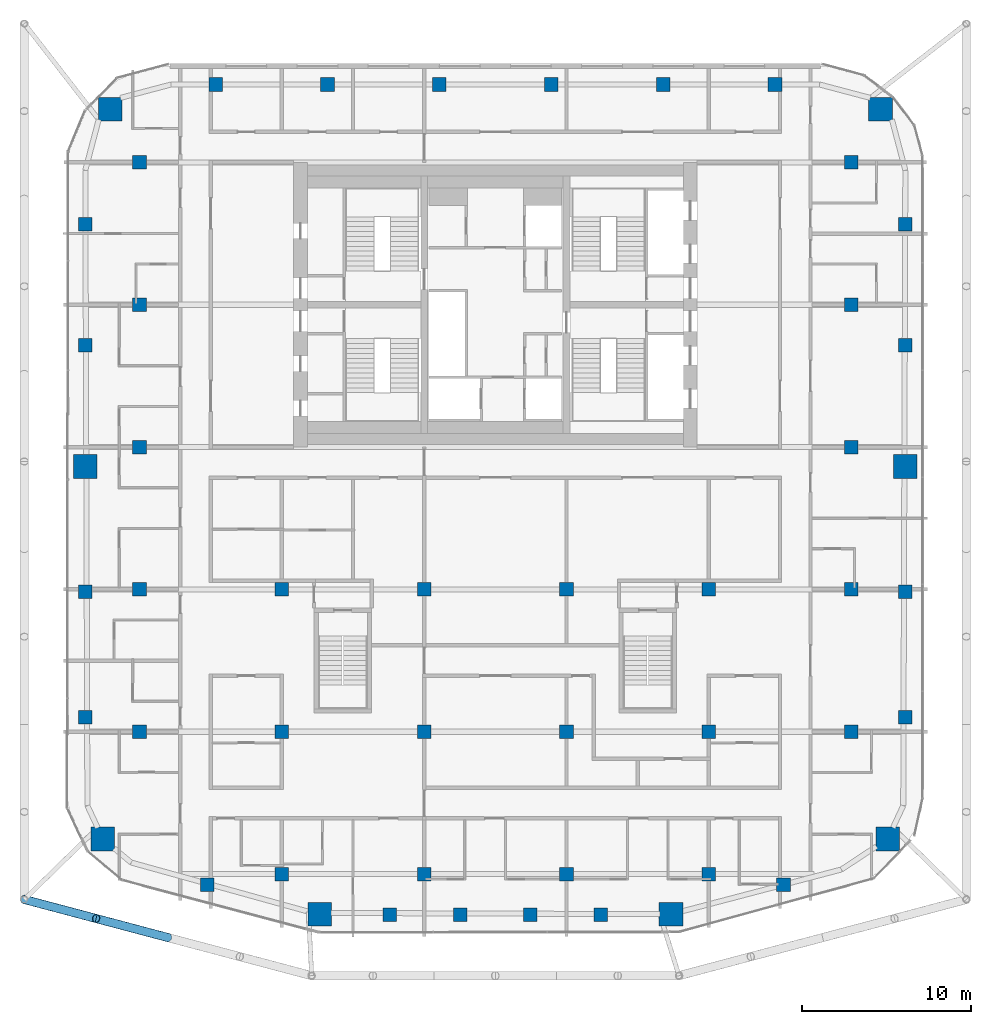
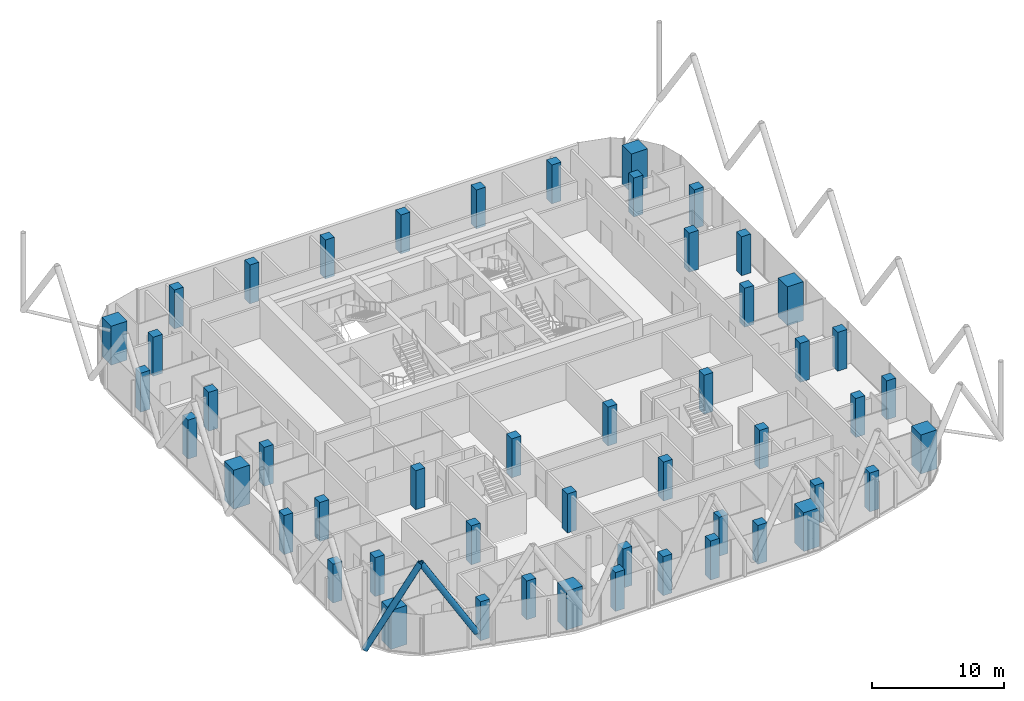
# One storey, part 1 of 28: 50 columns, 2 members.
"""IFC4 building model written with IfcOpenShell, lengths in metres."""

from ifc_helpers import new_model, si_unit, direction, frame, origin, origin_2d, place, context, subcontext, project, spatial, rectangle, hollow_circle, extrude, material, material_profile, profile_set, type_object, element, save


model = new_model("IFC4")

# Units and contexts
model_context = context("Model", 3, precision=1e-05, world=origin(), true_north=direction((0.0, 1.0)))
body_context = subcontext(model_context, "Body", "Model", "MODEL_VIEW")
ifc_project = project(units=[si_unit("LENGTHUNIT", "METRE"), si_unit("AREAUNIT", "SQUARE_METRE"), si_unit("VOLUMEUNIT", "CUBIC_METRE"), si_unit("PLANEANGLEUNIT", "RADIAN"), si_unit("MASSUNIT", "GRAM", prefix="KILO")], contexts=[model_context])

# Site, building, storey
site_placement = place(None, origin())
site = spatial("IfcSite", under=ifc_project, at=site_placement, CompositionType="ELEMENT")
building_placement = place(site_placement, origin())
building = spatial("IfcBuilding", under=site, at=building_placement, Name="Marenta Gate Hotel Tower", CompositionType="ELEMENT")
storey_placement = place(building_placement, frame((0.0, 0.0, 198.5)))
storey = spatial("IfcBuildingStorey", under=building, at=storey_placement, Name="L45", CompositionType="ELEMENT", Elevation=198.5)

# Columns
ifc_material_1 = material(Name="Concrete C60", Category="concrete")
ifc_material_profile_1 = material_profile(ifc_material_1, rectangle(XDim=0.800048828125, YDim=0.800048828125, at=origin_2d()), Name="800 x 800")
ifc_profile_set_1 = profile_set([ifc_material_profile_1], Name="Concrete C60")
column_type_1 = type_object("IfcColumnType", Name="Edge column 800 x 800 C60", PredefinedType="COLUMN", material=ifc_profile_set_1)
for number, where, z_axis, x_axis, name in (
    (1, (-24.199951171875, -15.951904296875, 0.0), (0.0, 0.0, 1.0), (1.0, 0.0, 0.0), "L45-EC-SW-W-1"),
    (2, (-24.199951171875, -8.55078125, 0.0), (0.0, 0.0, 1.0), (1.0, 0.0, 0.0), "L45-EC-SW-W-2"),
    (3, (-24.199951171875, 6.003173828125, 0.0), (0.0, 0.0, 1.0), (1.0, 0.0, 0.0), "L45-EC-W-NW-1"),
    (4, (-24.199951171875, 13.156494140625, 0.0), (0.0, 0.0, 1.0), (1.0, 0.0, 0.0), "L45-EC-W-NW-2"),
    (5, (-16.5068359375, 21.39990234375, 0.0), (0.0, 0.0, 1.0), (1.0, 0.0, 0.0), "L45-EC-NW-NE-1"),
    (6, (-9.904052734375, 21.39990234375, 0.0), (0.0, 0.0, 1.0), (1.0, 0.0, 0.0), "L45-EC-NW-NE-2"),
    (7, (-3.301513671875, 21.39990234375, 0.0), (0.0, 0.0, 1.0), (1.0, 0.0, 0.0), "L45-EC-NW-NE-3"),
    (8, (3.301513671875, 21.39990234375, 0.0), (0.0, 0.0, 1.0), (1.0, 0.0, 0.0), "L45-EC-NW-NE-4"),
    (9, (9.904052734375, 21.39990234375, 0.0), (0.0, 0.0, 1.0), (1.0, 0.0, 0.0), "L45-EC-NW-NE-5"),
    (10, (16.5068359375, 21.39990234375, 0.0), (0.0, 0.0, 1.0), (1.0, 0.0, 0.0), "L45-EC-NW-NE-6"),
    (11, (24.199951171875, 13.156494140625, 0.0), (0.0, 0.0, 1.0), (1.0, 0.0, 0.0), "L45-EC-NE-E-1"),
    (12, (24.199951171875, 6.003173828125, 0.0), (0.0, 0.0, 1.0), (1.0, 0.0, 0.0), "L45-EC-NE-E-2"),
    (13, (24.199951171875, -8.55078125, 0.0), (0.0, 0.0, 1.0), (1.0, 0.0, 0.0), "L45-EC-E-SE-1"),
    (14, (24.199951171875, -15.951904296875, 0.0), (0.0, 0.0, 1.0), (1.0, 0.0, 0.0), "L45-EC-E-SE-2"),
    (15, (17.0068359375, -25.839111328125, 0.0), (0.0, 0.0, 1.0), (1.0, 0.0, 0.0), "L45-EC-SE-SKE-1"),
    (16, (6.22021484375, -27.60009765625, 0.0), (0.0, 0.0, 1.0), (1.0, 0.0, 0.0), "L45-EC-SKE-SKW-1"),
    (17, (2.073486328125, -27.60009765625, 0.0), (0.0, 0.0, 1.0), (1.0, 0.0, 0.0), "L45-EC-SKE-SKW-2"),
    (18, (-2.073486328125, -27.60009765625, 0.0), (0.0, 0.0, 1.0), (1.0, 0.0, 0.0), "L45-EC-SKE-SKW-3"),
    (19, (-6.22021484375, -27.60009765625, 0.0), (0.0, 0.0, 1.0), (1.0, 0.0, 0.0), "L45-EC-SKE-SKW-4"),
    (20, (-17.0068359375, -25.839111328125, 0.0), (0.0, 0.0, 1.0), (1.0, 0.0, 0.0), "L45-EC-SKW-SW-1"),
):
    element("IfcColumn", number, at=place(storey_placement, frame(where, z_axis=z_axis, x_axis=x_axis)), inside=storey, type_object=column_type_1, Name=name, PredefinedType="COLUMN", context=body_context, shape_type="SweptSolid", body=[
        extrude(rectangle(XDim=0.800048828125, YDim=0.800048828125, at=origin_2d()), origin(), (0.0, 0.0, 1.0), 3.60009765625),
    ])
ifc_material_2 = material(Name="Concrete C60", Category="concrete")
ifc_material_profile_2 = material_profile(ifc_material_2, rectangle(XDim=0.800048828125, YDim=0.800048828125, at=origin_2d()), Name="800 x 800")
ifc_profile_set_2 = profile_set([ifc_material_profile_2], Name="Concrete C60")
column_type_2 = type_object("IfcColumnType", Name="Interior column 800 x 800 C60", PredefinedType="COLUMN", material=ifc_profile_set_2)
for number, where, z_axis, x_axis, name in (
    (21, (-21.0, -16.800048828125, 0.0), (0.0, 0.0, 1.0), (1.0, 0.0, 0.0), "L45-IC-4D"),
    (22, (-21.0, -8.39990234375, 0.0), (0.0, 0.0, 1.0), (1.0, 0.0, 0.0), "L45-IC-4E"),
    (23, (-21.0, 0.0, 0.0), (0.0, 0.0, 1.0), (1.0, 0.0, 0.0), "L45-IC-4F"),
    (24, (-21.0, 8.39990234375, 0.0), (0.0, 0.0, 1.0), (1.0, 0.0, 0.0), "L45-IC-4G"),
    (25, (-21.0, 16.800048828125, 0.0), (0.0, 0.0, 1.0), (1.0, 0.0, 0.0), "L45-IC-4H"),
    (26, (-12.60009765625, -25.199951171875, 0.0), (0.0, 0.0, 1.0), (1.0, 0.0, 0.0), "L45-IC-5C"),
    (27, (-12.60009765625, -16.800048828125, 0.0), (0.0, 0.0, 1.0), (1.0, 0.0, 0.0), "L45-IC-5D"),
    (28, (-12.60009765625, -8.39990234375, 0.0), (0.0, 0.0, 1.0), (1.0, 0.0, 0.0), "L45-IC-5E"),
    (29, (-4.199951171875, -25.199951171875, 0.0), (0.0, 0.0, 1.0), (1.0, 0.0, 0.0), "L45-IC-6C"),
    (30, (-4.199951171875, -16.800048828125, 0.0), (0.0, 0.0, 1.0), (1.0, 0.0, 0.0), "L45-IC-6D"),
    (31, (-4.199951171875, -8.39990234375, 0.0), (0.0, 0.0, 1.0), (1.0, 0.0, 0.0), "L45-IC-6E"),
    (32, (4.199951171875, -25.199951171875, 0.0), (0.0, 0.0, 1.0), (1.0, 0.0, 0.0), "L45-IC-7C"),
    (33, (4.199951171875, -16.800048828125, 0.0), (0.0, 0.0, 1.0), (1.0, 0.0, 0.0), "L45-IC-7D"),
    (34, (4.199951171875, -8.39990234375, 0.0), (0.0, 0.0, 1.0), (1.0, 0.0, 0.0), "L45-IC-7E"),
    (35, (12.60009765625, -25.199951171875, 0.0), (0.0, 0.0, 1.0), (1.0, 0.0, 0.0), "L45-IC-8C"),
    (36, (12.60009765625, -16.800048828125, 0.0), (0.0, 0.0, 1.0), (1.0, 0.0, 0.0), "L45-IC-8D"),
    (37, (12.60009765625, -8.39990234375, 0.0), (0.0, 0.0, 1.0), (1.0, 0.0, 0.0), "L45-IC-8E"),
    (38, (21.0, -16.800048828125, 0.0), (0.0, 0.0, 1.0), (1.0, 0.0, 0.0), "L45-IC-9D"),
    (39, (21.0, -8.39990234375, 0.0), (0.0, 0.0, 1.0), (1.0, 0.0, 0.0), "L45-IC-9E"),
    (40, (21.0, 0.0, 0.0), (0.0, 0.0, 1.0), (1.0, 0.0, 0.0), "L45-IC-9F"),
    (41, (21.0, 8.39990234375, 0.0), (0.0, 0.0, 1.0), (1.0, 0.0, 0.0), "L45-IC-9G"),
    (42, (21.0, 16.800048828125, 0.0), (0.0, 0.0, 1.0), (1.0, 0.0, 0.0), "L45-IC-9H"),
):
    element("IfcColumn", number, at=place(storey_placement, frame(where, z_axis=z_axis, x_axis=x_axis)), inside=storey, type_object=column_type_2, Name=name, PredefinedType="COLUMN", context=body_context, shape_type="SweptSolid", body=[
        extrude(rectangle(XDim=0.800048828125, YDim=0.800048828125, at=origin_2d()), origin(), (0.0, 0.0, 1.0), 3.60009765625),
    ])
ifc_material_3 = material(Name="Concrete C60", Category="concrete")
ifc_material_profile_3 = material_profile(ifc_material_3, rectangle(XDim=1.39990234375, YDim=1.39990234375, at=origin_2d()), Name="1400 x 1400")
ifc_profile_set_3 = profile_set([ifc_material_profile_3], Name="Concrete C60")
column_type_3 = type_object("IfcColumnType", Name="Mega column 1400 x 1400 C60", PredefinedType="COLUMN", material=ifc_profile_set_3)
for number, where, z_axis, x_axis, name in (
    (43, (-23.1630859375, -23.133056640625, 0.0), (0.0, 0.0, 1.0), (1.0, 0.0, 0.0), "L45-MC-SW"),
    (44, (-10.3662109375, -27.57470703125, 0.0), (0.0, 0.0, 1.0), (1.0, 0.0, 0.0), "L45-MC-SKW"),
    (45, (10.3662109375, -27.57470703125, 0.0), (0.0, 0.0, 1.0), (1.0, 0.0, 0.0), "L45-MC-SKE"),
    (46, (23.1630859375, -23.133056640625, 0.0), (0.0, 0.0, 1.0), (1.0, 0.0, 0.0), "L45-MC-SE"),
    (47, (24.199951171875, -1.14990234375, 0.0), (0.0, 0.0, 1.0), (1.0, 0.0, 0.0), "L45-MC-E"),
    (48, (22.735595703125, 19.935546875, 0.0), (0.0, 0.0, 1.0), (1.0, 0.0, 0.0), "L45-MC-NE"),
    (49, (-22.735595703125, 19.935546875, 0.0), (0.0, 0.0, 1.0), (1.0, 0.0, 0.0), "L45-MC-NW"),
    (50, (-24.199951171875, -1.14990234375, 0.0), (0.0, 0.0, 1.0), (1.0, 0.0, 0.0), "L45-MC-W"),
):
    element("IfcColumn", number, at=place(storey_placement, frame(where, z_axis=z_axis, x_axis=x_axis)), inside=storey, type_object=column_type_3, Name=name, PredefinedType="COLUMN", context=body_context, shape_type="SweptSolid", body=[
        extrude(rectangle(XDim=1.39990234375, YDim=1.39990234375, at=origin_2d()), origin(), (0.0, 0.0, 1.0), 3.60009765625),
    ])

# Members
ifc_material_4 = material(Name="Steel S355J2W", Category="steel")
ifc_material_profile_4 = material_profile(ifc_material_4, hollow_circle(Radius=0.25390625, WallThickness=0.02490234375, at=origin_2d()), Name="CHS 508x25")
ifc_profile_set_4 = profile_set([ifc_material_profile_4], Name="Steel S355J2W")
member_type = type_object("IfcMemberType", Name="Diagrid diagonal Z3 CHS 508x25", PredefinedType="BRACE", material=ifc_profile_set_4)
for number, where, z_axis, x_axis, name in (
    (51, (-19.319580078125, -28.9501953125, 3.139892578125), (-0.50291158245, 0.13343024942, 0.853976761263), (-0.256443187528, -0.96655930577, 0.0), "L45-DG-23"),
    (52, (-27.800048828125, -26.7001953125, 3.139892578125), (0.50291158245, -0.13343024942, 0.853976761263), (0.256443187528, 0.96655930577, 0.0), "L45-DG-24"),
):
    element("IfcMember", number, at=place(storey_placement, frame(where, z_axis=z_axis, x_axis=x_axis)), inside=storey, type_object=member_type, Name=name, PredefinedType="BRACE", context=body_context, shape_type="SweptSolid", body=[
        extrude(hollow_circle(Radius=0.25390625, WallThickness=0.02490234375, at=origin_2d()), origin(), (0.0, 0.0, 1.0), 8.431396484375),
    ])

save(model, "model.ifc")
